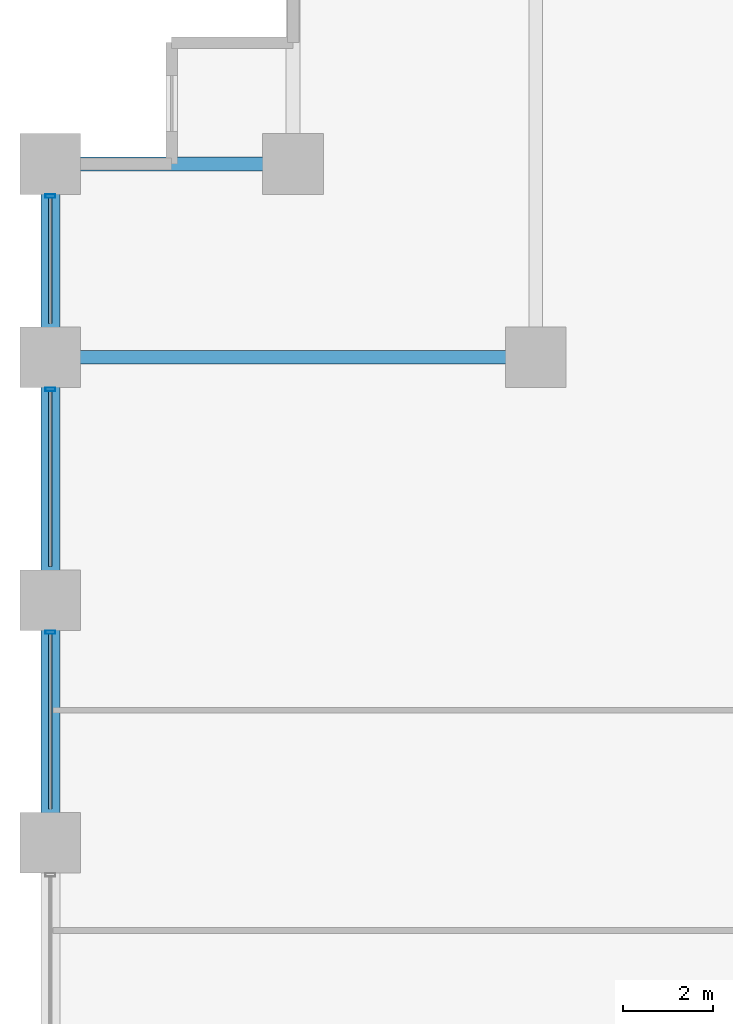
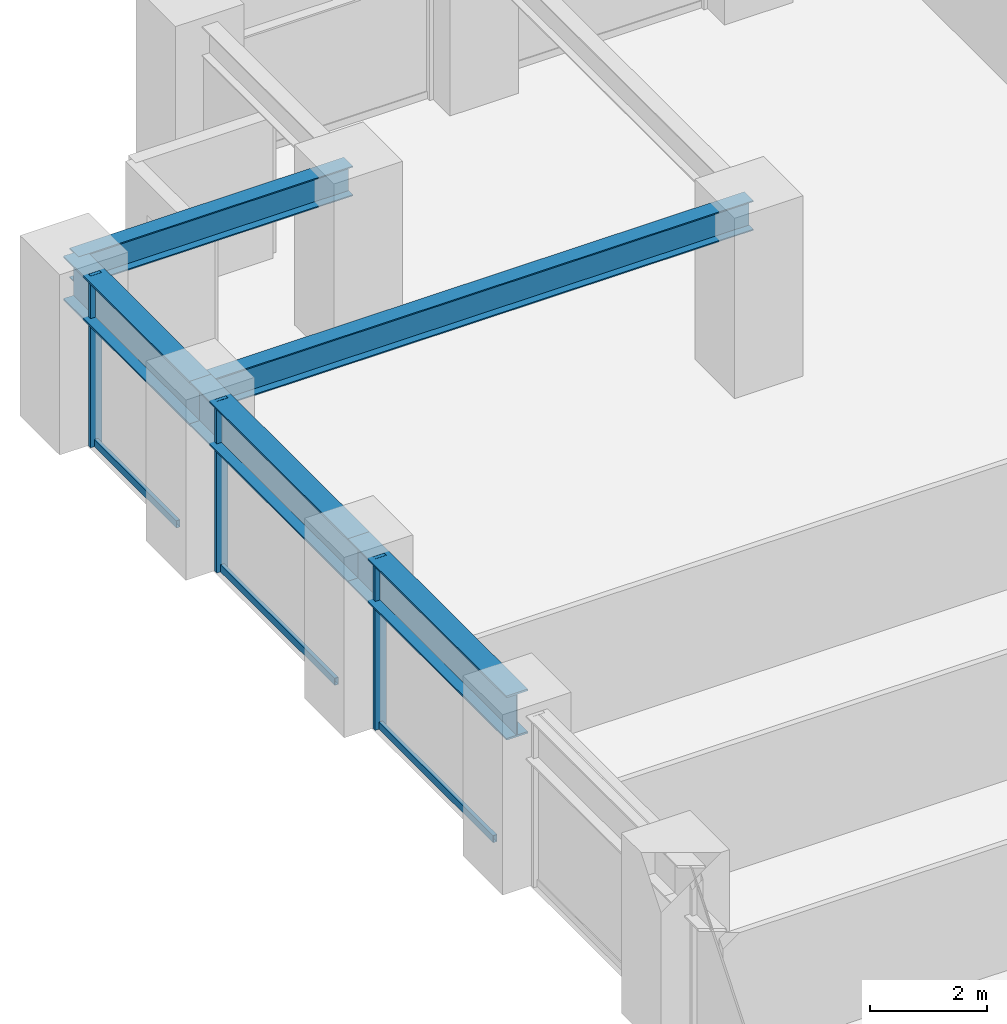
# One storey, part 10 of 25: 6 members, 5 beams, 1 element without a shape of its own.
"""IFC4 building model written with IfcOpenShell, lengths in metres."""

from ifc_helpers import new_model, si_unit, direction, frame, origin, origin_2d, place, context, subcontext, project, spatial, hollow_rectangle, i_section, extrude, material, layer, layer_set, material_profile, profile_set, type_object, element, aggregate, save


model = new_model("IFC4")

# Units and contexts
model_context = context("Model", 3, precision=1e-05, world=origin(), true_north=direction((0.0, 1.0)))
body_context = subcontext(model_context, "Body", "Model", "MODEL_VIEW")
ifc_project = project(units=[si_unit("LENGTHUNIT", "METRE"), si_unit("AREAUNIT", "SQUARE_METRE"), si_unit("VOLUMEUNIT", "CUBIC_METRE"), si_unit("PLANEANGLEUNIT", "RADIAN"), si_unit("MASSUNIT", "GRAM", prefix="KILO")], contexts=[model_context])

# Site, building, storey
site_placement = place(None, origin())
site = spatial("IfcSite", under=ifc_project, at=site_placement, CompositionType="ELEMENT")
building_placement = place(site_placement, origin())
building = spatial("IfcBuilding", under=site, at=building_placement, Name="Surkhivell Harbour Commons", CompositionType="ELEMENT")
storey_placement = place(building_placement, frame((0.0, 0.0, 33.75)))
storey = spatial("IfcBuildingStorey", under=building, at=storey_placement, Name="L08", CompositionType="ELEMENT", Elevation=33.75)

# Beams
ifc_material_1 = material(Name="Steel S355", Category="steel")
ifc_material_profile_1 = material_profile(ifc_material_1, i_section(OverallWidth=0.306884765625, OverallDepth=0.6201171875, WebThickness=0.01416015625, FlangeThickness=0.023681640625, at=origin_2d()), Name="UB610x305x179")
ifc_profile_set_1 = profile_set([ifc_material_profile_1], Name="Steel S355")
beam_type_1 = type_object("IfcBeamType", Name="BM-GRD-610A", PredefinedType="BEAM", material=ifc_profile_set_1)
beam_1_placement = place(storey_placement, frame((-32.39990234375, 16.199951171875, 3.260009765625), z_axis=(1.0, 0.0, 0.0), x_axis=(0.0, 1.0, 0.0)))
element("IfcBeam", 1, at=beam_1_placement, inside=storey, type_object=beam_type_1, Name="L08 Floor Girder (-32.4,16.2)", PredefinedType="BEAM", context=body_context, shape_type="SweptSolid", body=[
    extrude(i_section(OverallWidth=0.306884765625, OverallDepth=0.6201171875, WebThickness=0.01416015625, FlangeThickness=0.023681640625, at=origin_2d()), origin(), (0.0, 0.0, 1.0), 10.7998046875),
])
beam_2_placement = place(storey_placement, frame((-32.39990234375, 20.5, 3.260009765625), z_axis=(1.0, 0.0, 0.0), x_axis=(0.0, 1.0, 0.0)))
element("IfcBeam", 2, at=beam_2_placement, inside=storey, type_object=beam_type_1, Name="L08 Floor Girder (-32.4,20.5)", PredefinedType="BEAM", context=body_context, shape_type="SweptSolid", body=[
    extrude(i_section(OverallWidth=0.306884765625, OverallDepth=0.6201171875, WebThickness=0.01416015625, FlangeThickness=0.023681640625, at=origin_2d()), origin(), (0.0, 0.0, 1.0), 5.39990234375),
])
ifc_material_2 = material(Name="Steel S460", Category="steel")
ifc_material_profile_2 = material_profile(ifc_material_2, i_section(OverallWidth=0.419921875, OverallDepth=0.9208984375, WebThickness=0.021484375, FlangeThickness=0.03662109375, at=origin_2d()), Name="UB914x419x388")
ifc_profile_set_2 = profile_set([ifc_material_profile_2], Name="Steel S460")
beam_type_2 = type_object("IfcBeamType", Name="BM-SPN-914A", PredefinedType="SPANDREL", material=ifc_profile_set_2)
beam_3_placement = place(storey_placement, frame((-32.39990234375, 5.39990234375, 3.109619140625), z_axis=(0.0, 1.0, 0.0), x_axis=(-1.0, 0.0, 0.0)))
element("IfcBeam", 3, at=beam_3_placement, inside=storey, type_object=beam_type_2, Name="L08 Tube Spandrel (-32.4,5.4)", PredefinedType="SPANDREL", context=body_context, shape_type="SweptSolid", body=[
    extrude(i_section(OverallWidth=0.419921875, OverallDepth=0.9208984375, WebThickness=0.021484375, FlangeThickness=0.03662109375, at=origin_2d()), origin(), (0.0, 0.0, 1.0), 5.400146484375),
])
beam_4_placement = place(storey_placement, frame((-32.39990234375, 10.800048828125, 3.109619140625), z_axis=(0.0, 1.0, 0.0), x_axis=(-1.0, 0.0, 0.0)))
element("IfcBeam", 4, at=beam_4_placement, inside=storey, type_object=beam_type_2, Name="L08 Tube Spandrel (-32.4,10.8)", PredefinedType="SPANDREL", context=body_context, shape_type="SweptSolid", body=[
    extrude(i_section(OverallWidth=0.419921875, OverallDepth=0.9208984375, WebThickness=0.021484375, FlangeThickness=0.03662109375, at=origin_2d()), origin(), (0.0, 0.0, 1.0), 5.39990234375),
])
beam_5_placement = place(storey_placement, frame((-32.39990234375, 16.199951171875, 3.109619140625), z_axis=(0.0, 1.0, 0.0), x_axis=(-1.0, 0.0, 0.0)))
element("IfcBeam", 5, at=beam_5_placement, inside=storey, type_object=beam_type_2, Name="L08 Tube Spandrel (-32.4,16.2)", PredefinedType="SPANDREL", context=body_context, shape_type="SweptSolid", body=[
    extrude(i_section(OverallWidth=0.419921875, OverallDepth=0.9208984375, WebThickness=0.021484375, FlangeThickness=0.03662109375, at=origin_2d()), origin(), (0.0, 0.0, 1.0), 4.300048828125),
])

# Curtain wall, members
ifc_material_3 = material(Name="Anodised pale-metal aluminium and insulated glazing", Category="aluminium")
ifc_layer = layer(ifc_material_3, 0.219970703125)
ifc_layer_set = layer_set([ifc_layer], Name="Anodised pale-metal aluminium and insulated glazing")
curtain_wall_type = type_object("IfcCurtainWallType", Name="CW-SYS-Z1", PredefinedType="NOTDEFINED", material=ifc_layer_set)
curtain_wall_placement = place(storey_placement, origin())
curtain_wall = element("IfcCurtainWall", 6, at=curtain_wall_placement, inside=storey, type_object=curtain_wall_type, Name="L08 Curtain Wall CW-L08-E12S1", PredefinedType="NOTDEFINED")
ifc_material_4 = material(Name="Anodised pale-metal aluminium alloy 6063-T6", Category="aluminium")
ifc_material_profile_3 = material_profile(ifc_material_4, hollow_rectangle(XDim=0.074951171875, YDim=0.219970703125, WallThickness=0.00390625, at=origin_2d()), Name="ALU-MULL-75x220")
ifc_profile_set_3 = profile_set([ifc_material_profile_3], Name="Anodised pale-metal aluminium alloy 6063-T6")
member_type_1 = type_object("IfcMemberType", Name="CWM-220", PredefinedType="MULLION", material=ifc_profile_set_3)
member_1_placement = place(storey_placement, frame((-32.39990234375, 19.785400390625, 0.0), z_axis=(0.0, 0.0, 1.0), x_axis=(0.0, -1.0, 0.0)))
member_1 = element("IfcMember", 7, at=member_1_placement, type_object=member_type_1, Name="CW-Z1 mullion 1", PredefinedType="MULLION", context=body_context, shape_type="SweptSolid", body=[
    extrude(hollow_rectangle(XDim=0.074951171875, YDim=0.219970703125, WallThickness=0.00390625, at=origin_2d()), origin(), (0.0, 0.0, 1.0), 3.570068359375),
])
member_2_placement = place(storey_placement, frame((-32.39990234375, 15.485595703125, 0.0), z_axis=(0.0, 0.0, 1.0), x_axis=(0.0, -1.0, 0.0)))
member_2 = element("IfcMember", 8, at=member_2_placement, type_object=member_type_1, Name="CW-Z1 mullion 2", PredefinedType="MULLION", context=body_context, shape_type="SweptSolid", body=[
    extrude(hollow_rectangle(XDim=0.074951171875, YDim=0.219970703125, WallThickness=0.00390625, at=origin_2d()), origin(), (0.0, 0.0, 1.0), 3.570068359375),
])
member_3_placement = place(storey_placement, frame((-32.39990234375, 10.08544921875, 0.0), z_axis=(0.0, 0.0, 1.0), x_axis=(0.0, -1.0, 0.0)))
member_3 = element("IfcMember", 9, at=member_3_placement, type_object=member_type_1, Name="CW-Z1 mullion 3", PredefinedType="MULLION", context=body_context, shape_type="SweptSolid", body=[
    extrude(hollow_rectangle(XDim=0.074951171875, YDim=0.219970703125, WallThickness=0.00390625, at=origin_2d()), origin(), (0.0, 0.0, 1.0), 3.570068359375),
])
ifc_material_profile_4 = material_profile(ifc_material_4, hollow_rectangle(XDim=0.074951171875, YDim=0.14990234375, WallThickness=0.00341796875, at=origin_2d()), Name="ALU-TRAN-75x150")
ifc_profile_set_4 = profile_set([ifc_material_profile_4], Name="Anodised pale-metal aluminium alloy 6063-T6")
member_type_2 = type_object("IfcMemberType", Name="CWT-150", PredefinedType="USERDEFINED", material=ifc_profile_set_4)
member_4_placement = place(storey_placement, frame((-32.39990234375, 19.748046875, 0.074951171875), z_axis=(0.0, -1.0, 0.0), x_axis=(1.0, 0.0, 0.0)))
member_4 = element("IfcMember", 10, at=member_4_placement, type_object=member_type_2, Name="CW-Z1 transom 1.1", ObjectType="TRANSOM", PredefinedType="USERDEFINED", context=body_context, shape_type="SweptSolid", body=[
    extrude(hollow_rectangle(XDim=0.074951171875, YDim=0.14990234375, WallThickness=0.00341796875, at=origin_2d()), origin(), (0.0, 0.0, 1.0), 2.796142578125),
])
member_5_placement = place(storey_placement, frame((-32.39990234375, 15.447998046875, 0.074951171875), z_axis=(0.0, -1.0, 0.0), x_axis=(1.0, 0.0, 0.0)))
member_5 = element("IfcMember", 11, at=member_5_placement, type_object=member_type_2, Name="CW-Z1 transom 2.1", ObjectType="TRANSOM", PredefinedType="USERDEFINED", context=body_context, shape_type="SweptSolid", body=[
    extrude(hollow_rectangle(XDim=0.074951171875, YDim=0.14990234375, WallThickness=0.00341796875, at=origin_2d()), origin(), (0.0, 0.0, 1.0), 3.89599609375),
])
member_6_placement = place(storey_placement, frame((-32.39990234375, 10.048095703125, 0.074951171875), z_axis=(0.0, -1.0, 0.0), x_axis=(1.0, 0.0, 0.0)))
member_6 = element("IfcMember", 12, at=member_6_placement, type_object=member_type_2, Name="CW-Z1 transom 3.1", ObjectType="TRANSOM", PredefinedType="USERDEFINED", context=body_context, shape_type="SweptSolid", body=[
    extrude(hollow_rectangle(XDim=0.074951171875, YDim=0.14990234375, WallThickness=0.00341796875, at=origin_2d()), origin(), (0.0, 0.0, 1.0), 3.89599609375),
])
aggregate(curtain_wall, [member_1, member_4, member_2, member_5, member_3, member_6])

save(model, "model.ifc")
